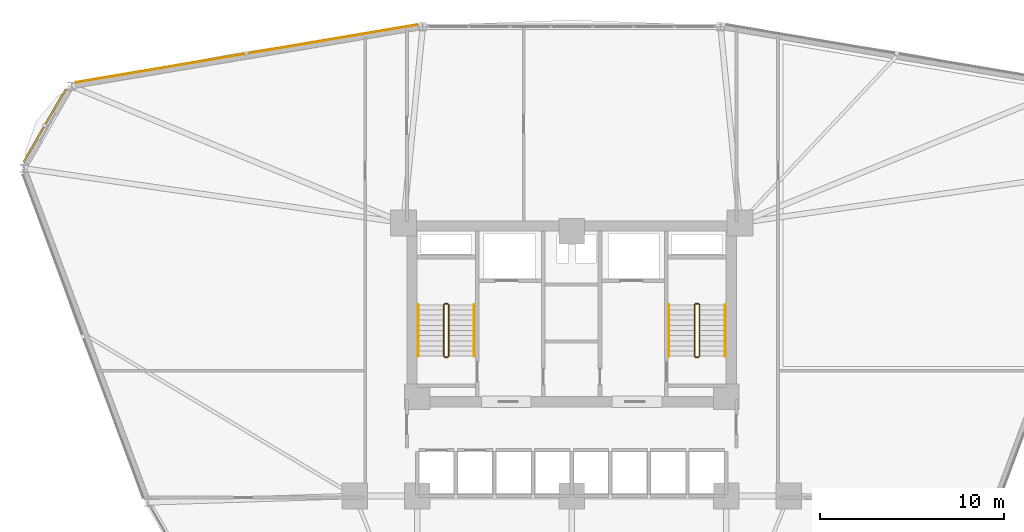
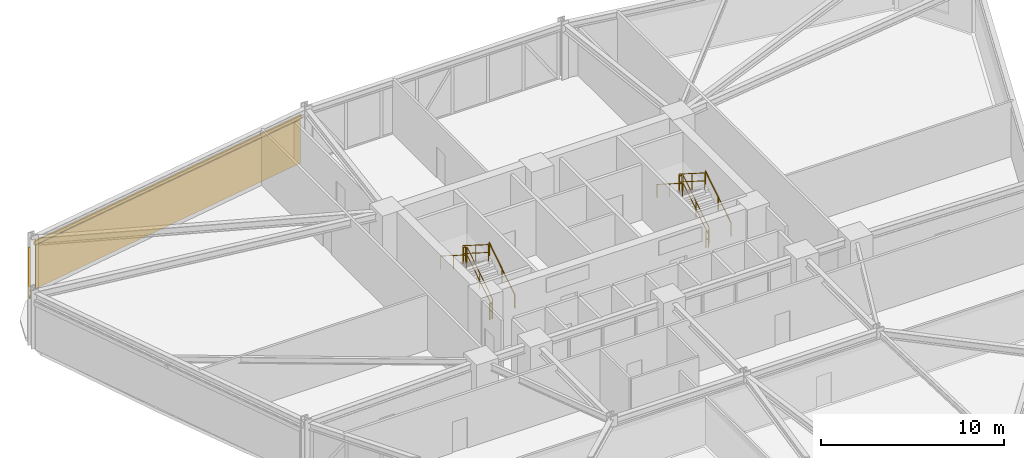
# One storey, part 20 of 21: 12 railings, 2 shading devices, 1 covering.
"""IFC4 building model written with IfcOpenShell, lengths in metres."""

from ifc_helpers import new_model, si_unit, derived_unit, direction, frame, origin, origin_2d, place, context, subcontext, project, spatial, polyline, hollow_rectangle, circle, outline, extrude, source, transform, mapped, material, layer, layer_set, material_profile, profile_set, type_object, element, save


model = new_model("IFC4")

# Units and contexts
model_context = context("Model", 3, precision=1e-05, world=origin(), true_north=direction((0.0, 1.0)))
body_context = subcontext(model_context, "Body", "Model", "MODEL_VIEW")
ifc_project = project(units=[si_unit("LENGTHUNIT", "METRE"), si_unit("AREAUNIT", "SQUARE_METRE"), si_unit("VOLUMEUNIT", "CUBIC_METRE"), si_unit("PLANEANGLEUNIT", "RADIAN"), si_unit("MASSUNIT", "GRAM", prefix="KILO"), derived_unit("THERMALTRANSMITTANCEUNIT", [(si_unit("POWERUNIT", "WATT"), 1), (si_unit("LENGTHUNIT", "METRE"), -2), (si_unit("THERMODYNAMICTEMPERATUREUNIT", "KELVIN"), -1)])], contexts=[model_context])

# Site, building, storey
site_placement = place(None, origin())
site = spatial("IfcSite", under=ifc_project, at=site_placement, CompositionType="ELEMENT")
building_placement = place(site_placement, origin())
building = spatial("IfcBuilding", under=site, at=building_placement, Name="Korsvarv Bourse and Concert Hall", CompositionType="ELEMENT")
storey_placement = place(building_placement, frame((0.0, 0.0, 27.89990234375)))
storey = spatial("IfcBuildingStorey", under=building, at=storey_placement, Name="L06", CompositionType="ELEMENT", Elevation=27.89990234375)

# Covering
ifc_material_1 = material(Name="Warm iron-oxide extruded terracotta rainscreen tile", Category="ceramic")
ifc_layer = layer(ifc_material_1, 0.044921875)
ifc_layer_set = layer_set([ifc_layer], Name="Warm iron-oxide extruded terracotta rainscreen tile")
covering_type = type_object("IfcCoveringType", Name="COV-CLD-TC", PredefinedType="CLADDING", material=ifc_layer_set)
covering_placement = place(storey_placement, origin())
element("IfcCovering", 1, at=covering_placement, inside=storey, type_object=covering_type, Name="L06 fluted terracotta cladding panel EW-L06-B04", PredefinedType="CLADDING", context=body_context, shape_type="SweptSolid", body=[
    extrude(outline(polyline([(27.583984375, 58.000244140625), (9.066650390625, 54.872314453125), (9.05908203125, 54.91650390625), (27.57666015625, 58.044677734375), (27.583984375, 58.000244140625)])), origin(), (0.0, 0.0, 1.0), 2.91015625),
])

# Railings
ifc_material_2 = material(Name="Painted Steel S355 stair well guardrail", Category="steel")
railing_type_1 = type_object("IfcRailingType", Name="RL-ST-GRD", PredefinedType="GUARDRAIL", material=ifc_material_2)
railing_1_placement = place(storey_placement, frame((29.31005859375, 40.0, 0.177490234375)))
element("IfcRailing", 2, at=railing_1_placement, inside=storey, type_object=railing_type_1, Name="L06 ST-T1 stair guard 1", PredefinedType="GUARDRAIL", context=body_context, shape_type="SweptSolid", body=[
    extrude(circle(Radius=0.02392578125, at=origin_2d()), frame((0.0, 0.0, 1.076171875), z_axis=(0.0, 0.844908973607, 0.534910110503), x_axis=(-1.0, 0.0, 0.0)), (0.0, 0.0, 1.0), 3.31396484375),
    extrude(circle(Radius=0.02392578125, at=origin_2d()), frame((0.0, 0.0, 0.550048828125), z_axis=(0.0, 0.844908973607, 0.534910110503), x_axis=(-1.0, 0.0, 0.0)), (0.0, 0.0, 1.0), 3.31396484375),
    extrude(circle(Radius=0.02099609375, at=origin_2d()), origin(), (0.0, 0.0, 1.0), 1.052001953125),
    extrude(circle(Radius=0.02099609375, at=origin_2d()), frame((0.0, 1.39990234375, 0.88623046875)), (0.0, 0.0, 1.0), 1.052001953125),
    extrude(circle(Radius=0.02099609375, at=origin_2d()), frame((0.0, 2.800048828125, 1.772705078125)), (0.0, 0.0, 1.0), 1.052001953125),
])
railing_2_placement = place(storey_placement, frame((29.260009765625, 42.85009765625, 1.9501953125)))
element("IfcRailing", 3, at=railing_2_placement, inside=storey, type_object=railing_type_1, Name="L06 ST-T1 stair guard 2", PredefinedType="GUARDRAIL", context=body_context, shape_type="SweptSolid", body=[
    extrude(circle(Radius=0.02392578125, at=origin_2d()), frame((0.0, 0.0, 1.076171875), z_axis=(-1.0, 0.0, 0.0), x_axis=(0.0, -1.0, 0.0)), (0.0, 0.0, 1.0), 0.159912109375),
    extrude(circle(Radius=0.02392578125, at=origin_2d()), frame((0.0, 0.0, 0.550048828125), z_axis=(-1.0, 0.0, 0.0), x_axis=(0.0, -1.0, 0.0)), (0.0, 0.0, 1.0), 0.159912109375),
    extrude(circle(Radius=0.02099609375, at=origin_2d()), origin(), (0.0, 0.0, 1.0), 1.052001953125),
    extrude(circle(Radius=0.02099609375, at=origin_2d()), frame((-0.159912109375, 0.0, 0.0)), (0.0, 0.0, 1.0), 1.052001953125),
])
railing_3_placement = place(storey_placement, frame((29.050048828125, 42.800048828125, 2.12744140625)))
element("IfcRailing", 4, at=railing_3_placement, inside=storey, type_object=railing_type_1, Name="L06 ST-T1 stair guard 3", PredefinedType="GUARDRAIL", context=body_context, shape_type="SweptSolid", body=[
    extrude(circle(Radius=0.02392578125, at=origin_2d()), frame((0.0, 0.0, 1.076171875), z_axis=(0.0, -0.844908973607, 0.534910110503), x_axis=(1.0, 0.0, 0.0)), (0.0, 0.0, 1.0), 3.31396484375),
    extrude(circle(Radius=0.02392578125, at=origin_2d()), frame((0.0, 0.0, 0.550048828125), z_axis=(0.0, -0.844908973607, 0.534910110503), x_axis=(1.0, 0.0, 0.0)), (0.0, 0.0, 1.0), 3.31396484375),
    extrude(circle(Radius=0.02099609375, at=origin_2d()), origin(), (0.0, 0.0, 1.0), 1.052001953125),
    extrude(circle(Radius=0.02099609375, at=origin_2d()), frame((0.0, -1.39990234375, 0.88623046875)), (0.0, 0.0, 1.0), 1.052001953125),
    extrude(circle(Radius=0.02099609375, at=origin_2d()), frame((0.0, -2.800048828125, 1.772705078125)), (0.0, 0.0, 1.0), 1.052001953125),
])
railing_4_placement = place(storey_placement, frame((29.260009765625, 39.949951171875, 0.0)))
element("IfcRailing", 5, at=railing_4_placement, inside=storey, type_object=railing_type_1, Name="L06 ST-T1 stair guard 4", PredefinedType="GUARDRAIL", context=body_context, shape_type="SweptSolid", body=[
    extrude(circle(Radius=0.02392578125, at=origin_2d()), frame((0.0, 0.0, 1.076171875), z_axis=(-1.0, 0.0, 0.0), x_axis=(0.0, -1.0, 0.0)), (0.0, 0.0, 1.0), 0.159912109375),
    extrude(circle(Radius=0.02392578125, at=origin_2d()), frame((0.0, 0.0, 0.550048828125), z_axis=(-1.0, 0.0, 0.0), x_axis=(0.0, -1.0, 0.0)), (0.0, 0.0, 1.0), 0.159912109375),
    extrude(circle(Radius=0.02099609375, at=origin_2d()), origin(), (0.0, 0.0, 1.0), 1.052001953125),
    extrude(circle(Radius=0.02099609375, at=origin_2d()), frame((-0.159912109375, 0.0, 0.0)), (0.0, 0.0, 1.0), 1.052001953125),
])
railing_5_placement = place(storey_placement, frame((42.949951171875, 40.0, 0.177490234375)))
element("IfcRailing", 6, at=railing_5_placement, inside=storey, type_object=railing_type_1, Name="L06 ST-T2 stair guard 1", PredefinedType="GUARDRAIL", context=body_context, shape_type="SweptSolid", body=[
    extrude(circle(Radius=0.02392578125, at=origin_2d()), frame((0.0, 0.0, 1.076171875), z_axis=(0.0, 0.844908973607, 0.534910110503), x_axis=(-1.0, 0.0, 0.0)), (0.0, 0.0, 1.0), 3.31396484375),
    extrude(circle(Radius=0.02392578125, at=origin_2d()), frame((0.0, 0.0, 0.550048828125), z_axis=(0.0, 0.844908973607, 0.534910110503), x_axis=(-1.0, 0.0, 0.0)), (0.0, 0.0, 1.0), 3.31396484375),
    extrude(circle(Radius=0.02099609375, at=origin_2d()), origin(), (0.0, 0.0, 1.0), 1.052001953125),
    extrude(circle(Radius=0.02099609375, at=origin_2d()), frame((0.0, 1.39990234375, 0.88623046875)), (0.0, 0.0, 1.0), 1.052001953125),
    extrude(circle(Radius=0.02099609375, at=origin_2d()), frame((0.0, 2.800048828125, 1.772705078125)), (0.0, 0.0, 1.0), 1.052001953125),
])
railing_6_placement = place(storey_placement, frame((42.89990234375, 42.85009765625, 1.9501953125)))
element("IfcRailing", 7, at=railing_6_placement, inside=storey, type_object=railing_type_1, Name="L06 ST-T2 stair guard 2", PredefinedType="GUARDRAIL", context=body_context, shape_type="SweptSolid", body=[
    extrude(circle(Radius=0.02392578125, at=origin_2d()), frame((0.0, 0.0, 1.076171875), z_axis=(-1.0, 0.0, 0.0), x_axis=(0.0, -1.0, 0.0)), (0.0, 0.0, 1.0), 0.159912109375),
    extrude(circle(Radius=0.02392578125, at=origin_2d()), frame((0.0, 0.0, 0.550048828125), z_axis=(-1.0, 0.0, 0.0), x_axis=(0.0, -1.0, 0.0)), (0.0, 0.0, 1.0), 0.159912109375),
    extrude(circle(Radius=0.02099609375, at=origin_2d()), origin(), (0.0, 0.0, 1.0), 1.052001953125),
    extrude(circle(Radius=0.02099609375, at=origin_2d()), frame((-0.159912109375, 0.0, 0.0)), (0.0, 0.0, 1.0), 1.052001953125),
])
railing_7_placement = place(storey_placement, frame((42.68994140625, 42.800048828125, 2.12744140625)))
element("IfcRailing", 8, at=railing_7_placement, inside=storey, type_object=railing_type_1, Name="L06 ST-T2 stair guard 3", PredefinedType="GUARDRAIL", context=body_context, shape_type="SweptSolid", body=[
    extrude(circle(Radius=0.02392578125, at=origin_2d()), frame((0.0, 0.0, 1.076171875), z_axis=(0.0, -0.844908973607, 0.534910110503), x_axis=(1.0, 0.0, 0.0)), (0.0, 0.0, 1.0), 3.31396484375),
    extrude(circle(Radius=0.02392578125, at=origin_2d()), frame((0.0, 0.0, 0.550048828125), z_axis=(0.0, -0.844908973607, 0.534910110503), x_axis=(1.0, 0.0, 0.0)), (0.0, 0.0, 1.0), 3.31396484375),
    extrude(circle(Radius=0.02099609375, at=origin_2d()), origin(), (0.0, 0.0, 1.0), 1.052001953125),
    extrude(circle(Radius=0.02099609375, at=origin_2d()), frame((0.0, -1.39990234375, 0.88623046875)), (0.0, 0.0, 1.0), 1.052001953125),
    extrude(circle(Radius=0.02099609375, at=origin_2d()), frame((0.0, -2.800048828125, 1.772705078125)), (0.0, 0.0, 1.0), 1.052001953125),
])
railing_8_placement = place(storey_placement, frame((42.89990234375, 39.949951171875, 0.0)))
element("IfcRailing", 9, at=railing_8_placement, inside=storey, type_object=railing_type_1, Name="L06 ST-T2 stair guard 4", PredefinedType="GUARDRAIL", context=body_context, shape_type="SweptSolid", body=[
    extrude(circle(Radius=0.02392578125, at=origin_2d()), frame((0.0, 0.0, 1.076171875), z_axis=(-1.0, 0.0, 0.0), x_axis=(0.0, -1.0, 0.0)), (0.0, 0.0, 1.0), 0.159912109375),
    extrude(circle(Radius=0.02392578125, at=origin_2d()), frame((0.0, 0.0, 0.550048828125), z_axis=(-1.0, 0.0, 0.0), x_axis=(0.0, -1.0, 0.0)), (0.0, 0.0, 1.0), 0.159912109375),
    extrude(circle(Radius=0.02099609375, at=origin_2d()), origin(), (0.0, 0.0, 1.0), 1.052001953125),
    extrude(circle(Radius=0.02099609375, at=origin_2d()), frame((-0.159912109375, 0.0, 0.0)), (0.0, 0.0, 1.0), 1.052001953125),
])
ifc_material_3 = material(Name="Brushed stainless Steel S355 tubular handrail", Category="steel")
railing_type_2 = type_object("IfcRailingType", Name="RL-ST-HND", PredefinedType="HANDRAIL", material=ifc_material_3)
railing_9_placement = place(storey_placement, frame((30.7099609375, 40.0, 0.177490234375)))
element("IfcRailing", 10, at=railing_9_placement, inside=storey, type_object=railing_type_2, Name="L06 ST-T1 stair handrail 1", PredefinedType="HANDRAIL", context=body_context, shape_type="SweptSolid", body=[
    extrude(circle(Radius=0.02392578125, at=origin_2d()), frame((0.0, 0.0, 0.8759765625), z_axis=(0.0, 0.844908973607, 0.534910110503), x_axis=(-1.0, 0.0, 0.0)), (0.0, 0.0, 1.0), 3.31396484375),
    extrude(circle(Radius=0.02099609375, at=origin_2d()), origin(), (0.0, 0.0, 1.0), 0.851806640625),
    extrude(circle(Radius=0.02099609375, at=origin_2d()), frame((0.0, 1.39990234375, 0.88623046875)), (0.0, 0.0, 1.0), 0.851806640625),
    extrude(circle(Radius=0.02099609375, at=origin_2d()), frame((0.0, 2.800048828125, 1.772705078125)), (0.0, 0.0, 1.0), 0.851806640625),
])
railing_10_placement = place(storey_placement, frame((27.64990234375, 42.800048828125, 2.12744140625)))
element("IfcRailing", 11, at=railing_10_placement, inside=storey, type_object=railing_type_2, Name="L06 ST-T1 stair handrail 2", PredefinedType="HANDRAIL", context=body_context, shape_type="SweptSolid", body=[
    extrude(circle(Radius=0.02392578125, at=origin_2d()), frame((0.0, 0.0, 0.8759765625), z_axis=(0.0, -0.844908973607, 0.534910110503), x_axis=(1.0, 0.0, 0.0)), (0.0, 0.0, 1.0), 3.31396484375),
    extrude(circle(Radius=0.02099609375, at=origin_2d()), origin(), (0.0, 0.0, 1.0), 0.851806640625),
    extrude(circle(Radius=0.02099609375, at=origin_2d()), frame((0.0, -1.39990234375, 0.88623046875)), (0.0, 0.0, 1.0), 0.851806640625),
    extrude(circle(Radius=0.02099609375, at=origin_2d()), frame((0.0, -2.800048828125, 1.772705078125)), (0.0, 0.0, 1.0), 0.851806640625),
])
railing_11_placement = place(storey_placement, frame((44.35009765625, 40.0, 0.177490234375)))
element("IfcRailing", 12, at=railing_11_placement, inside=storey, type_object=railing_type_2, Name="L06 ST-T2 stair handrail 1", PredefinedType="HANDRAIL", context=body_context, shape_type="SweptSolid", body=[
    extrude(circle(Radius=0.02392578125, at=origin_2d()), frame((0.0, 0.0, 0.8759765625), z_axis=(0.0, 0.844908973607, 0.534910110503), x_axis=(-1.0, 0.0, 0.0)), (0.0, 0.0, 1.0), 3.31396484375),
    extrude(circle(Radius=0.02099609375, at=origin_2d()), origin(), (0.0, 0.0, 1.0), 0.851806640625),
    extrude(circle(Radius=0.02099609375, at=origin_2d()), frame((0.0, 1.39990234375, 0.88623046875)), (0.0, 0.0, 1.0), 0.851806640625),
    extrude(circle(Radius=0.02099609375, at=origin_2d()), frame((0.0, 2.800048828125, 1.772705078125)), (0.0, 0.0, 1.0), 0.851806640625),
])
railing_12_placement = place(storey_placement, frame((41.2900390625, 42.800048828125, 2.12744140625)))
element("IfcRailing", 13, at=railing_12_placement, inside=storey, type_object=railing_type_2, Name="L06 ST-T2 stair handrail 2", PredefinedType="HANDRAIL", context=body_context, shape_type="SweptSolid", body=[
    extrude(circle(Radius=0.02392578125, at=origin_2d()), frame((0.0, 0.0, 0.8759765625), z_axis=(0.0, -0.844908973607, 0.534910110503), x_axis=(1.0, 0.0, 0.0)), (0.0, 0.0, 1.0), 3.31396484375),
    extrude(circle(Radius=0.02099609375, at=origin_2d()), origin(), (0.0, 0.0, 1.0), 0.851806640625),
    extrude(circle(Radius=0.02099609375, at=origin_2d()), frame((0.0, -1.39990234375, 0.88623046875)), (0.0, 0.0, 1.0), 0.851806640625),
    extrude(circle(Radius=0.02099609375, at=origin_2d()), frame((0.0, -2.800048828125, 1.772705078125)), (0.0, 0.0, 1.0), 0.851806640625),
])

# Shading devices
ifc_material_4 = material(Name="Glazed extruded architectural terracotta", Category="ceramic")
ifc_material_profile = material_profile(ifc_material_4, hollow_rectangle(XDim=0.090087890625, YDim=0.260009765625, WallThickness=0.011962890625, at=origin_2d()), Name="TC-BAG 90x260")
ifc_profile_set = profile_set([ifc_material_profile], Name="Glazed extruded architectural terracotta")
shading_device_type = type_object("IfcShadingDeviceType", Name="SHD-BAG-1", PredefinedType="USERDEFINED", material=ifc_profile_set)
shared_shape_1 = source(origin(), body_context, "Body", "SweptSolid", [
    extrude(hollow_rectangle(XDim=0.090087890625, YDim=0.260009765625, WallThickness=0.011962890625, at=origin_2d()), origin(), (0.0, 0.0, 1.0), 4.604736328125),
])
shading_device_1_placement = place(storey_placement, frame((8.493408203125, 54.53955078125, 3.070068359375), z_axis=(-0.500022295776, -0.86601253093, 0.0), x_axis=(0.86601253093, -0.500022295776, 0.0)))
element("IfcShadingDevice", 14, at=shading_device_1_placement, inside=storey, type_object=shading_device_type, Name="L06 terracotta baguette sunshade EW-L06-B05", ObjectType="BAGUETTE", PredefinedType="USERDEFINED", context=body_context, shape_type="MappedRepresentation", body=[
    mapped(shared_shape_1, transform((0.0, 0.0, 0.0), scale=1.0)),
])
shared_shape_2 = source(origin(), body_context, "Body", "SweptSolid", [
    extrude(hollow_rectangle(XDim=0.090087890625, YDim=0.260009765625, WallThickness=0.011962890625, at=origin_2d()), origin(), (0.0, 0.0, 1.0), 18.93994140625),
])
shading_device_2_placement = place(storey_placement, frame((27.656494140625, 58.052978515625, 3.070068359375), z_axis=(-0.98603202958, -0.166555806393, 0.0), x_axis=(0.166555806393, -0.98603202958, 0.0)))
element("IfcShadingDevice", 15, at=shading_device_2_placement, inside=storey, type_object=shading_device_type, Name="L06 terracotta baguette sunshade EW-L06-B04", ObjectType="BAGUETTE", PredefinedType="USERDEFINED", context=body_context, shape_type="MappedRepresentation", body=[
    mapped(shared_shape_2, transform((0.0, 0.0, 0.0), scale=1.0)),
])

save(model, "model.ifc")
